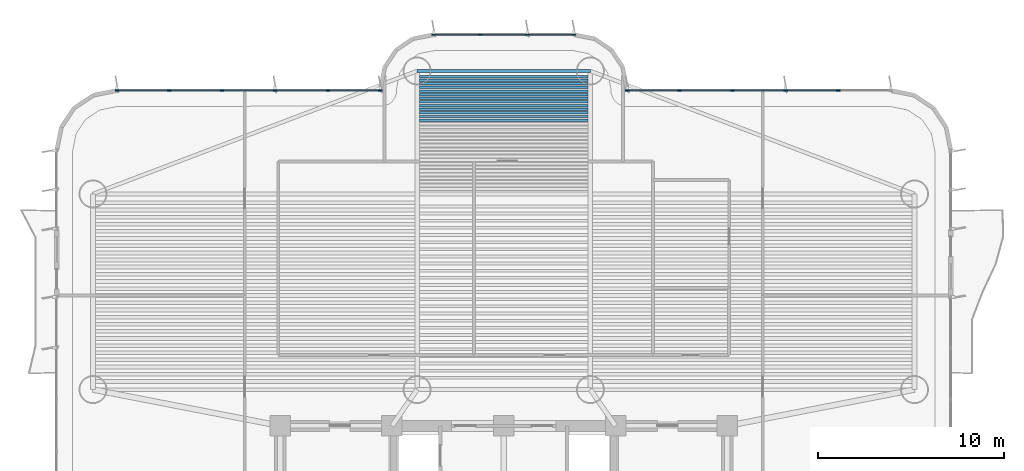
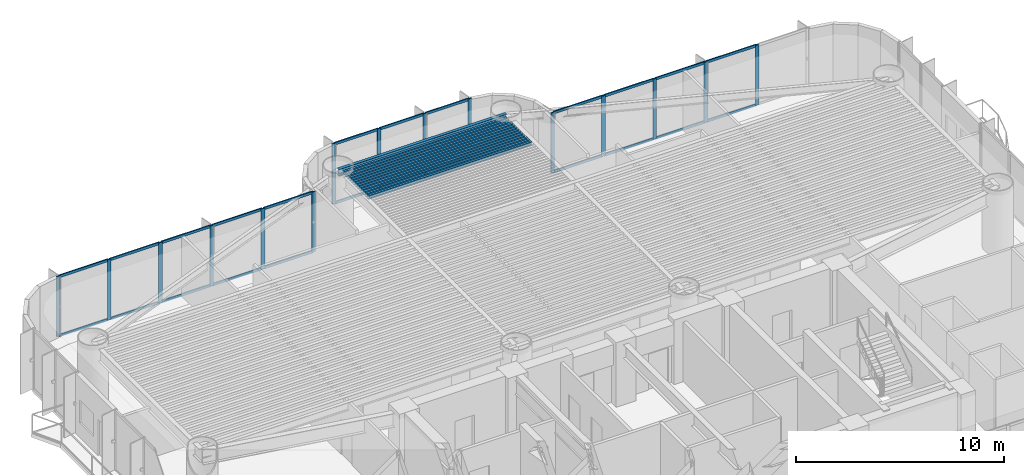
# One storey, part 7 of 17: 39 members, 14 beams, 3 elements without a shape of their own.
"""IFC4 building model written with IfcOpenShell, lengths in metres."""

from ifc_helpers import new_model, si_unit, direction, frame, origin, origin_2d, place, context, subcontext, project, spatial, rectangle, i_section, extrude, source, transform, mapped, material, layer, layer_set, material_profile, profile_set, type_object, element, aggregate, save


model = new_model("IFC4")

# Units and contexts
model_context = context("Model", 3, precision=1e-05, world=origin(), true_north=direction((0.0, 1.0)))
body_context = subcontext(model_context, "Body", "Model", "MODEL_VIEW")
ifc_project = project(units=[si_unit("LENGTHUNIT", "METRE"), si_unit("AREAUNIT", "SQUARE_METRE"), si_unit("VOLUMEUNIT", "CUBIC_METRE"), si_unit("PLANEANGLEUNIT", "RADIAN"), si_unit("MASSUNIT", "GRAM", prefix="KILO")], contexts=[model_context])

# Site, building, storey
site_placement = place(None, origin())
site = spatial("IfcSite", under=ifc_project, at=site_placement, CompositionType="ELEMENT")
building_placement = place(site_placement, origin())
building = spatial("IfcBuilding", under=site, at=building_placement, Name="Brelvock Crest Care Tower", CompositionType="ELEMENT")
storey_placement = place(building_placement, frame((0.0, 0.0, 53.4599609375)))
storey = spatial("IfcBuildingStorey", under=building, at=storey_placement, Name="L13", CompositionType="ELEMENT", Elevation=53.4599609375)

# Beams
ifc_material_1 = material(Name="Steel Grade 350", Category="steel")
ifc_material_profile_1 = material_profile(ifc_material_1, i_section(OverallWidth=0.177978515625, OverallDepth=0.406005859375, WebThickness=0.0078125, FlangeThickness=0.0126953125, FilletRadius=0.011474609375, at=origin_2d()), Name="410UB59.7")
ifc_profile_set_1 = profile_set([ifc_material_profile_1], Name="Steel Grade 350")
beam_type_1 = type_object("IfcBeamType", Name="BM-SP1", PredefinedType="SPANDREL", material=ifc_profile_set_1)
shared_shape_1 = source(origin(), body_context, "Body", "SweptSolid", [
    extrude(i_section(OverallWidth=0.177978515625, OverallDepth=0.406005859375, WebThickness=0.0078125, FlangeThickness=0.0126953125, FilletRadius=0.011474609375, at=origin_2d()), origin(), (0.0, 0.0, 1.0), 9.2998046875),
])
beam_placement = place(storey_placement, frame((31.35009765625, 37.050048828125, 3.3271484375), z_axis=(1.0, 0.0, 0.0), x_axis=(0.0, 1.0, 0.0)))
element("IfcBeam", 1, at=beam_placement, inside=storey, type_object=beam_type_1, Name="BM-TWR-L13-08", PredefinedType="SPANDREL", context=body_context, shape_type="MappedRepresentation", body=[
    mapped(shared_shape_1, transform((0.0, 0.0, 0.0), x_axis=(1.0, 0.0, 0.0), y_axis=(0.0, 1.0, 0.0), z_axis=(0.0, 0.0, 1.0), scale=1.0)),
])
ifc_material_profile_2 = material_profile(ifc_material_1, i_section(OverallWidth=0.134033203125, OverallDepth=0.20703125, WebThickness=0.00634765625, FlangeThickness=0.009521484375, FilletRadius=0.0087890625, at=origin_2d()), Name="200UB29.8")
ifc_profile_set_2 = profile_set([ifc_material_profile_2], Name="Steel Grade 350")
beam_type_2 = type_object("IfcBeamType", Name="BM-J4", PredefinedType="JOIST", material=ifc_profile_set_2)
shared_shape_2 = source(origin(), body_context, "Body", "SweptSolid", [
    extrude(i_section(OverallWidth=0.134033203125, OverallDepth=0.20703125, WebThickness=0.00634765625, FlangeThickness=0.009521484375, FilletRadius=0.0087890625, at=origin_2d()), origin(), (0.0, 0.0, 1.0), 9.06982421875),
])
for number, where, z_axis, x_axis, name in (
    (2, (31.465087890625, 34.413330078125, 3.426513671875), (1.0, 0.0, 0.0), (0.0, 1.0, 0.0), "BM-JN-L13-20"),
    (3, (31.465087890625, 34.60791015625, 3.426513671875), (1.0, 0.0, 0.0), (0.0, 1.0, 0.0), "BM-JN-L13-21"),
    (4, (31.465087890625, 34.802734375, 3.426513671875), (1.0, 0.0, 0.0), (0.0, 1.0, 0.0), "BM-JN-L13-22"),
    (5, (31.465087890625, 34.997314453125, 3.426513671875), (1.0, 0.0, 0.0), (0.0, 1.0, 0.0), "BM-JN-L13-23"),
    (6, (31.465087890625, 35.192138671875, 3.426513671875), (1.0, 0.0, 0.0), (0.0, 1.0, 0.0), "BM-JN-L13-24"),
    (7, (31.465087890625, 35.38671875, 3.426513671875), (1.0, 0.0, 0.0), (0.0, 1.0, 0.0), "BM-JN-L13-25"),
    (8, (31.465087890625, 35.58154296875, 3.426513671875), (1.0, 0.0, 0.0), (0.0, 1.0, 0.0), "BM-JN-L13-26"),
    (9, (31.465087890625, 35.776123046875, 3.426513671875), (1.0, 0.0, 0.0), (0.0, 1.0, 0.0), "BM-JN-L13-27"),
    (10, (31.465087890625, 35.970947265625, 3.426513671875), (1.0, 0.0, 0.0), (0.0, 1.0, 0.0), "BM-JN-L13-28"),
    (11, (31.465087890625, 36.16552734375, 3.426513671875), (1.0, 0.0, 0.0), (0.0, 1.0, 0.0), "BM-JN-L13-29"),
    (12, (31.465087890625, 36.3603515625, 3.426513671875), (1.0, 0.0, 0.0), (0.0, 1.0, 0.0), "BM-JN-L13-30"),
    (13, (31.465087890625, 36.554931640625, 3.426513671875), (1.0, 0.0, 0.0), (0.0, 1.0, 0.0), "BM-JN-L13-31"),
    (14, (31.465087890625, 36.749755859375, 3.426513671875), (1.0, 0.0, 0.0), (0.0, 1.0, 0.0), "BM-JN-L13-32"),
):
    element("IfcBeam", number, at=place(storey_placement, frame(where, z_axis=z_axis, x_axis=x_axis)), inside=storey, type_object=beam_type_2, Name=name, PredefinedType="JOIST", context=body_context, shape_type="MappedRepresentation", body=[
        mapped(shared_shape_2, transform((0.0, 0.0, 0.0), x_axis=(1.0, 0.0, 0.0), y_axis=(0.0, 1.0, 0.0), z_axis=(0.0, 0.0, 1.0), scale=1.0)),
    ])

# Curtain wall, members
ifc_material_2 = material(Name="Dark Glass Double Glazed Low-E", Category="glass")
ifc_layer = layer(ifc_material_2, 0.195068359375, Name="CWS-2")
ifc_layer_set = layer_set([ifc_layer], Name="Dark Glass Double Glazed Low-E")
curtain_wall_type = type_object("IfcCurtainWallType", Name="CWS-2", PredefinedType="NOTDEFINED", material=ifc_layer_set)
curtain_wall_1_placement = place(storey_placement, origin())
curtain_wall_1 = element("IfcCurtainWall", 15, at=curtain_wall_1_placement, inside=storey, type_object=curtain_wall_type, Name="L13 Curtain Wall E18", PredefinedType="NOTDEFINED")
ifc_material_3 = material(Name="Aluminium 6063-T6", Category="aluminium")
ifc_material_profile_3 = material_profile(ifc_material_3, rectangle(XDim=0.06494140625, YDim=0.199951171875, at=origin_2d()), Name="ALU65x200")
ifc_profile_set_3 = profile_set([ifc_material_profile_3], Name="Aluminium 6063-T6")
member_type_1 = type_object("IfcMemberType", Name="CWM-1", PredefinedType="MULLION", material=ifc_profile_set_3)
shared_shape_3 = source(origin(), body_context, "Body", "SweptSolid", [
    extrude(rectangle(XDim=0.06494140625, YDim=0.199951171875, at=origin_2d()), origin(), (0.0, 0.0, 1.0), 3.530029296875),
])
member_1_placement = place(storey_placement, frame((15.232421875, 36.0, 0.0), z_axis=(0.0, 0.0, 1.0), x_axis=(0.0, 1.0, 0.0)))
member_1 = element("IfcMember", 16, at=member_1_placement, type_object=member_type_1, Name="CW-2 mullion 1", PredefinedType="MULLION", context=body_context, shape_type="MappedRepresentation", body=[
    mapped(shared_shape_3, transform((0.0, 0.0, 0.0), x_axis=(1.0, 0.0, 0.0), y_axis=(0.0, 1.0, 0.0), z_axis=(0.0, 0.0, 1.0), scale=1.0)),
])
member_2_placement = place(storey_placement, frame((18.0400390625, 36.0, 0.0), z_axis=(0.0, 0.0, 1.0), x_axis=(0.0, 1.0, 0.0)))
member_2 = element("IfcMember", 17, at=member_2_placement, type_object=member_type_1, Name="CW-2 mullion 2", PredefinedType="MULLION", context=body_context, shape_type="MappedRepresentation", body=[
    mapped(shared_shape_3, transform((0.0, 0.0, 0.0), x_axis=(1.0, 0.0, 0.0), y_axis=(0.0, 1.0, 0.0), z_axis=(0.0, 0.0, 1.0), scale=1.0)),
])
member_3_placement = place(storey_placement, frame((20.8798828125, 36.0, 0.0), z_axis=(0.0, 0.0, 1.0), x_axis=(0.0, 1.0, 0.0)))
member_3 = element("IfcMember", 18, at=member_3_placement, type_object=member_type_1, Name="CW-2 mullion 3", PredefinedType="MULLION", context=body_context, shape_type="MappedRepresentation", body=[
    mapped(shared_shape_3, transform((0.0, 0.0, 0.0), x_axis=(1.0, 0.0, 0.0), y_axis=(0.0, 1.0, 0.0), z_axis=(0.0, 0.0, 1.0), scale=1.0)),
])
member_4_placement = place(storey_placement, frame((23.719970703125, 36.0, 0.0), z_axis=(0.0, 0.0, 1.0), x_axis=(0.0, 1.0, 0.0)))
member_4 = element("IfcMember", 19, at=member_4_placement, type_object=member_type_1, Name="CW-2 mullion 4", PredefinedType="MULLION", context=body_context, shape_type="MappedRepresentation", body=[
    mapped(shared_shape_3, transform((0.0, 0.0, 0.0), x_axis=(1.0, 0.0, 0.0), y_axis=(0.0, 1.0, 0.0), z_axis=(0.0, 0.0, 1.0), scale=1.0)),
])
member_5_placement = place(storey_placement, frame((26.56005859375, 36.0, 0.0), z_axis=(0.0, 0.0, 1.0), x_axis=(0.0, 1.0, 0.0)))
member_5 = element("IfcMember", 20, at=member_5_placement, type_object=member_type_1, Name="CW-2 mullion 5", PredefinedType="MULLION", context=body_context, shape_type="MappedRepresentation", body=[
    mapped(shared_shape_3, transform((0.0, 0.0, 0.0), x_axis=(1.0, 0.0, 0.0), y_axis=(0.0, 1.0, 0.0), z_axis=(0.0, 0.0, 1.0), scale=1.0)),
])
member_6_placement = place(storey_placement, frame((29.367431640625, 36.0, 0.0), z_axis=(0.0, 0.0, 1.0), x_axis=(0.0, 1.0, 0.0)))
member_6 = element("IfcMember", 21, at=member_6_placement, type_object=member_type_1, Name="CW-2 mullion 6", PredefinedType="MULLION", context=body_context, shape_type="MappedRepresentation", body=[
    mapped(shared_shape_3, transform((0.0, 0.0, 0.0), x_axis=(1.0, 0.0, 0.0), y_axis=(0.0, 1.0, 0.0), z_axis=(0.0, 0.0, 1.0), scale=1.0)),
])

curtain_wall_2_placement = place(storey_placement, origin())
curtain_wall_2 = element("IfcCurtainWall", 22, at=curtain_wall_2_placement, inside=storey, type_object=curtain_wall_type, Name="L13 Curtain Wall E24", PredefinedType="NOTDEFINED")
member_7_placement = place(storey_placement, frame((32.232421875, 39.0, 0.0), z_axis=(0.0, 0.0, 1.0), x_axis=(0.0, 1.0, 0.0)))
member_7 = element("IfcMember", 23, at=member_7_placement, type_object=member_type_1, Name="CW-2 mullion 1", PredefinedType="MULLION", context=body_context, shape_type="MappedRepresentation", body=[
    mapped(shared_shape_3, transform((0.0, 0.0, 0.0), x_axis=(1.0, 0.0, 0.0), y_axis=(0.0, 1.0, 0.0), z_axis=(0.0, 0.0, 1.0), scale=1.0)),
])
member_8_placement = place(storey_placement, frame((34.7333984375, 39.0, 0.0), z_axis=(0.0, 0.0, 1.0), x_axis=(0.0, 1.0, 0.0)))
member_8 = element("IfcMember", 24, at=member_8_placement, type_object=member_type_1, Name="CW-2 mullion 2", PredefinedType="MULLION", context=body_context, shape_type="MappedRepresentation", body=[
    mapped(shared_shape_3, transform((0.0, 0.0, 0.0), x_axis=(1.0, 0.0, 0.0), y_axis=(0.0, 1.0, 0.0), z_axis=(0.0, 0.0, 1.0), scale=1.0)),
])
member_9_placement = place(storey_placement, frame((37.2666015625, 39.0, 0.0), z_axis=(0.0, 0.0, 1.0), x_axis=(0.0, 1.0, 0.0)))
member_9 = element("IfcMember", 25, at=member_9_placement, type_object=member_type_1, Name="CW-2 mullion 3", PredefinedType="MULLION", context=body_context, shape_type="MappedRepresentation", body=[
    mapped(shared_shape_3, transform((0.0, 0.0, 0.0), x_axis=(1.0, 0.0, 0.0), y_axis=(0.0, 1.0, 0.0), z_axis=(0.0, 0.0, 1.0), scale=1.0)),
])
member_10_placement = place(storey_placement, frame((39.767578125, 39.0, 0.0), z_axis=(0.0, 0.0, 1.0), x_axis=(0.0, 1.0, 0.0)))
member_10 = element("IfcMember", 26, at=member_10_placement, type_object=member_type_1, Name="CW-2 mullion 4", PredefinedType="MULLION", context=body_context, shape_type="MappedRepresentation", body=[
    mapped(shared_shape_3, transform((0.0, 0.0, 0.0), x_axis=(1.0, 0.0, 0.0), y_axis=(0.0, 1.0, 0.0), z_axis=(0.0, 0.0, 1.0), scale=1.0)),
])

curtain_wall_3_placement = place(storey_placement, origin())
curtain_wall_3 = element("IfcCurtainWall", 27, at=curtain_wall_3_placement, inside=storey, type_object=curtain_wall_type, Name="L13 Curtain Wall E30", PredefinedType="NOTDEFINED")
member_11_placement = place(storey_placement, frame((42.632568359375, 36.0, 0.0), z_axis=(0.0, 0.0, 1.0), x_axis=(0.0, 1.0, 0.0)))
member_11 = element("IfcMember", 28, at=member_11_placement, type_object=member_type_1, Name="CW-2 mullion 1", PredefinedType="MULLION", context=body_context, shape_type="MappedRepresentation", body=[
    mapped(shared_shape_3, transform((0.0, 0.0, 0.0), x_axis=(1.0, 0.0, 0.0), y_axis=(0.0, 1.0, 0.0), z_axis=(0.0, 0.0, 1.0), scale=1.0)),
])
member_12_placement = place(storey_placement, frame((45.43994140625, 36.0, 0.0), z_axis=(0.0, 0.0, 1.0), x_axis=(0.0, 1.0, 0.0)))
member_12 = element("IfcMember", 29, at=member_12_placement, type_object=member_type_1, Name="CW-2 mullion 2", PredefinedType="MULLION", context=body_context, shape_type="MappedRepresentation", body=[
    mapped(shared_shape_3, transform((0.0, 0.0, 0.0), x_axis=(1.0, 0.0, 0.0), y_axis=(0.0, 1.0, 0.0), z_axis=(0.0, 0.0, 1.0), scale=1.0)),
])
member_13_placement = place(storey_placement, frame((48.280029296875, 36.0, 0.0), z_axis=(0.0, 0.0, 1.0), x_axis=(0.0, 1.0, 0.0)))
member_13 = element("IfcMember", 30, at=member_13_placement, type_object=member_type_1, Name="CW-2 mullion 3", PredefinedType="MULLION", context=body_context, shape_type="MappedRepresentation", body=[
    mapped(shared_shape_3, transform((0.0, 0.0, 0.0), x_axis=(1.0, 0.0, 0.0), y_axis=(0.0, 1.0, 0.0), z_axis=(0.0, 0.0, 1.0), scale=1.0)),
])
member_14_placement = place(storey_placement, frame((51.1201171875, 36.0, 0.0), z_axis=(0.0, 0.0, 1.0), x_axis=(0.0, 1.0, 0.0)))
member_14 = element("IfcMember", 31, at=member_14_placement, type_object=member_type_1, Name="CW-2 mullion 4", PredefinedType="MULLION", context=body_context, shape_type="MappedRepresentation", body=[
    mapped(shared_shape_3, transform((0.0, 0.0, 0.0), x_axis=(1.0, 0.0, 0.0), y_axis=(0.0, 1.0, 0.0), z_axis=(0.0, 0.0, 1.0), scale=1.0)),
])
member_15_placement = place(storey_placement, frame((53.9599609375, 36.0, 0.0), z_axis=(0.0, 0.0, 1.0), x_axis=(0.0, 1.0, 0.0)))
member_15 = element("IfcMember", 32, at=member_15_placement, type_object=member_type_1, Name="CW-2 mullion 5", PredefinedType="MULLION", context=body_context, shape_type="MappedRepresentation", body=[
    mapped(shared_shape_3, transform((0.0, 0.0, 0.0), x_axis=(1.0, 0.0, 0.0), y_axis=(0.0, 1.0, 0.0), z_axis=(0.0, 0.0, 1.0), scale=1.0)),
])

# Member
ifc_material_profile_4 = material_profile(ifc_material_3, rectangle(XDim=0.06494140625, YDim=0.14990234375, at=origin_2d()), Name="ALU65x150")
ifc_profile_set_4 = profile_set([ifc_material_profile_4], Name="Aluminium 6063-T6")
member_type_2 = type_object("IfcMemberType", Name="CWT-1", PredefinedType="USERDEFINED", material=ifc_profile_set_4)
shared_shape_4 = source(origin(), body_context, "Body", "SweptSolid", [
    extrude(rectangle(XDim=0.06494140625, YDim=0.14990234375, at=origin_2d()), origin(), (0.0, 0.0, 1.0), 2.74267578125),
])
member_16_placement = place(storey_placement, frame((15.264892578125, 36.0, 0.032470703125), z_axis=(1.0, 0.0, 0.0), x_axis=(0.0, 1.0, 0.0)))
member_16 = element("IfcMember", 33, at=member_16_placement, type_object=member_type_2, Name="CW-2 transom 1.1", ObjectType="TRANSOM", PredefinedType="USERDEFINED", context=body_context, shape_type="MappedRepresentation", body=[
    mapped(shared_shape_4, transform((0.0, 0.0, 0.0), x_axis=(1.0, 0.0, 0.0), y_axis=(0.0, 1.0, 0.0), z_axis=(0.0, 0.0, 1.0), scale=1.0)),
])

member_17_placement = place(storey_placement, frame((15.264892578125, 36.0, 3.49755859375), z_axis=(1.0, 0.0, 0.0), x_axis=(0.0, 1.0, 0.0)))
member_17 = element("IfcMember", 34, at=member_17_placement, type_object=member_type_2, Name="CW-2 transom 1.2", ObjectType="TRANSOM", PredefinedType="USERDEFINED", context=body_context, shape_type="MappedRepresentation", body=[
    mapped(shared_shape_4, transform((0.0, 0.0, 0.0), x_axis=(1.0, 0.0, 0.0), y_axis=(0.0, 1.0, 0.0), z_axis=(0.0, 0.0, 1.0), scale=1.0)),
])

shared_shape_5 = source(origin(), body_context, "Body", "SweptSolid", [
    extrude(rectangle(XDim=0.06494140625, YDim=0.14990234375, at=origin_2d()), origin(), (0.0, 0.0, 1.0), 2.77490234375),
])
member_18_placement = place(storey_placement, frame((18.072509765625, 36.0, 0.032470703125), z_axis=(1.0, 0.0, 0.0), x_axis=(0.0, 1.0, 0.0)))
member_18 = element("IfcMember", 35, at=member_18_placement, type_object=member_type_2, Name="CW-2 transom 2.1", ObjectType="TRANSOM", PredefinedType="USERDEFINED", context=body_context, shape_type="MappedRepresentation", body=[
    mapped(shared_shape_5, transform((0.0, 0.0, 0.0), x_axis=(1.0, 0.0, 0.0), y_axis=(0.0, 1.0, 0.0), z_axis=(0.0, 0.0, 1.0), scale=1.0)),
])

member_19_placement = place(storey_placement, frame((18.072509765625, 36.0, 3.49755859375), z_axis=(1.0, 0.0, 0.0), x_axis=(0.0, 1.0, 0.0)))
member_19 = element("IfcMember", 36, at=member_19_placement, type_object=member_type_2, Name="CW-2 transom 2.2", ObjectType="TRANSOM", PredefinedType="USERDEFINED", context=body_context, shape_type="MappedRepresentation", body=[
    mapped(shared_shape_5, transform((0.0, 0.0, 0.0), x_axis=(1.0, 0.0, 0.0), y_axis=(0.0, 1.0, 0.0), z_axis=(0.0, 0.0, 1.0), scale=1.0)),
])

member_20_placement = place(storey_placement, frame((20.91259765625, 36.0, 0.032470703125), z_axis=(1.0, 0.0, 0.0), x_axis=(0.0, 1.0, 0.0)))
member_20 = element("IfcMember", 37, at=member_20_placement, type_object=member_type_2, Name="CW-2 transom 3.1", ObjectType="TRANSOM", PredefinedType="USERDEFINED", context=body_context, shape_type="MappedRepresentation", body=[
    mapped(shared_shape_5, transform((0.0, 0.0, 0.0), x_axis=(1.0, 0.0, 0.0), y_axis=(0.0, 1.0, 0.0), z_axis=(0.0, 0.0, 1.0), scale=1.0)),
])

member_21_placement = place(storey_placement, frame((20.91259765625, 36.0, 3.49755859375), z_axis=(1.0, 0.0, 0.0), x_axis=(0.0, 1.0, 0.0)))
member_21 = element("IfcMember", 38, at=member_21_placement, type_object=member_type_2, Name="CW-2 transom 3.2", ObjectType="TRANSOM", PredefinedType="USERDEFINED", context=body_context, shape_type="MappedRepresentation", body=[
    mapped(shared_shape_5, transform((0.0, 0.0, 0.0), x_axis=(1.0, 0.0, 0.0), y_axis=(0.0, 1.0, 0.0), z_axis=(0.0, 0.0, 1.0), scale=1.0)),
])

member_22_placement = place(storey_placement, frame((48.3125, 36.0, 0.032470703125), z_axis=(1.0, 0.0, 0.0), x_axis=(0.0, 1.0, 0.0)))
member_22 = element("IfcMember", 39, at=member_22_placement, type_object=member_type_2, Name="CW-2 transom 3.1", ObjectType="TRANSOM", PredefinedType="USERDEFINED", context=body_context, shape_type="MappedRepresentation", body=[
    mapped(shared_shape_5, transform((0.0, 0.0, 0.0), x_axis=(1.0, 0.0, 0.0), y_axis=(0.0, 1.0, 0.0), z_axis=(0.0, 0.0, 1.0), scale=1.0)),
])

member_23_placement = place(storey_placement, frame((48.3125, 36.0, 3.49755859375), z_axis=(1.0, 0.0, 0.0), x_axis=(0.0, 1.0, 0.0)))
member_23 = element("IfcMember", 40, at=member_23_placement, type_object=member_type_2, Name="CW-2 transom 3.2", ObjectType="TRANSOM", PredefinedType="USERDEFINED", context=body_context, shape_type="MappedRepresentation", body=[
    mapped(shared_shape_5, transform((0.0, 0.0, 0.0), x_axis=(1.0, 0.0, 0.0), y_axis=(0.0, 1.0, 0.0), z_axis=(0.0, 0.0, 1.0), scale=1.0)),
])

member_24_placement = place(storey_placement, frame((51.152587890625, 36.0, 0.032470703125), z_axis=(1.0, 0.0, 0.0), x_axis=(0.0, 1.0, 0.0)))
member_24 = element("IfcMember", 41, at=member_24_placement, type_object=member_type_2, Name="CW-2 transom 4.1", ObjectType="TRANSOM", PredefinedType="USERDEFINED", context=body_context, shape_type="MappedRepresentation", body=[
    mapped(shared_shape_5, transform((0.0, 0.0, 0.0), x_axis=(1.0, 0.0, 0.0), y_axis=(0.0, 1.0, 0.0), z_axis=(0.0, 0.0, 1.0), scale=1.0)),
])

member_25_placement = place(storey_placement, frame((51.152587890625, 36.0, 3.49755859375), z_axis=(1.0, 0.0, 0.0), x_axis=(0.0, 1.0, 0.0)))
member_25 = element("IfcMember", 42, at=member_25_placement, type_object=member_type_2, Name="CW-2 transom 4.2", ObjectType="TRANSOM", PredefinedType="USERDEFINED", context=body_context, shape_type="MappedRepresentation", body=[
    mapped(shared_shape_5, transform((0.0, 0.0, 0.0), x_axis=(1.0, 0.0, 0.0), y_axis=(0.0, 1.0, 0.0), z_axis=(0.0, 0.0, 1.0), scale=1.0)),
])

shared_shape_6 = source(origin(), body_context, "Body", "SweptSolid", [
    extrude(rectangle(XDim=0.06494140625, YDim=0.14990234375, at=origin_2d()), origin(), (0.0, 0.0, 1.0), 2.775146484375),
])
member_26_placement = place(storey_placement, frame((23.75244140625, 36.0, 0.032470703125), z_axis=(1.0, 0.0, 0.0), x_axis=(0.0, 1.0, 0.0)))
member_26 = element("IfcMember", 43, at=member_26_placement, type_object=member_type_2, Name="CW-2 transom 4.1", ObjectType="TRANSOM", PredefinedType="USERDEFINED", context=body_context, shape_type="MappedRepresentation", body=[
    mapped(shared_shape_6, transform((0.0, 0.0, 0.0), x_axis=(1.0, 0.0, 0.0), y_axis=(0.0, 1.0, 0.0), z_axis=(0.0, 0.0, 1.0), scale=1.0)),
])

member_27_placement = place(storey_placement, frame((23.75244140625, 36.0, 3.49755859375), z_axis=(1.0, 0.0, 0.0), x_axis=(0.0, 1.0, 0.0)))
member_27 = element("IfcMember", 44, at=member_27_placement, type_object=member_type_2, Name="CW-2 transom 4.2", ObjectType="TRANSOM", PredefinedType="USERDEFINED", context=body_context, shape_type="MappedRepresentation", body=[
    mapped(shared_shape_6, transform((0.0, 0.0, 0.0), x_axis=(1.0, 0.0, 0.0), y_axis=(0.0, 1.0, 0.0), z_axis=(0.0, 0.0, 1.0), scale=1.0)),
])

member_28_placement = place(storey_placement, frame((45.472412109375, 36.0, 0.032470703125), z_axis=(1.0, 0.0, 0.0), x_axis=(0.0, 1.0, 0.0)))
member_28 = element("IfcMember", 45, at=member_28_placement, type_object=member_type_2, Name="CW-2 transom 2.1", ObjectType="TRANSOM", PredefinedType="USERDEFINED", context=body_context, shape_type="MappedRepresentation", body=[
    mapped(shared_shape_6, transform((0.0, 0.0, 0.0), x_axis=(1.0, 0.0, 0.0), y_axis=(0.0, 1.0, 0.0), z_axis=(0.0, 0.0, 1.0), scale=1.0)),
])

member_29_placement = place(storey_placement, frame((45.472412109375, 36.0, 3.49755859375), z_axis=(1.0, 0.0, 0.0), x_axis=(0.0, 1.0, 0.0)))
member_29 = element("IfcMember", 46, at=member_29_placement, type_object=member_type_2, Name="CW-2 transom 2.2", ObjectType="TRANSOM", PredefinedType="USERDEFINED", context=body_context, shape_type="MappedRepresentation", body=[
    mapped(shared_shape_6, transform((0.0, 0.0, 0.0), x_axis=(1.0, 0.0, 0.0), y_axis=(0.0, 1.0, 0.0), z_axis=(0.0, 0.0, 1.0), scale=1.0)),
])

shared_shape_7 = source(origin(), body_context, "Body", "SweptSolid", [
    extrude(rectangle(XDim=0.06494140625, YDim=0.14990234375, at=origin_2d()), origin(), (0.0, 0.0, 1.0), 2.742431640625),
])
member_30_placement = place(storey_placement, frame((26.592529296875, 36.0, 0.032470703125), z_axis=(1.0, 0.0, 0.0), x_axis=(0.0, 1.0, 0.0)))
member_30 = element("IfcMember", 47, at=member_30_placement, type_object=member_type_2, Name="CW-2 transom 5.1", ObjectType="TRANSOM", PredefinedType="USERDEFINED", context=body_context, shape_type="MappedRepresentation", body=[
    mapped(shared_shape_7, transform((0.0, 0.0, 0.0), x_axis=(1.0, 0.0, 0.0), y_axis=(0.0, 1.0, 0.0), z_axis=(0.0, 0.0, 1.0), scale=1.0)),
])

member_31_placement = place(storey_placement, frame((26.592529296875, 36.0, 3.49755859375), z_axis=(1.0, 0.0, 0.0), x_axis=(0.0, 1.0, 0.0)))
member_31 = element("IfcMember", 48, at=member_31_placement, type_object=member_type_2, Name="CW-2 transom 5.2", ObjectType="TRANSOM", PredefinedType="USERDEFINED", context=body_context, shape_type="MappedRepresentation", body=[
    mapped(shared_shape_7, transform((0.0, 0.0, 0.0), x_axis=(1.0, 0.0, 0.0), y_axis=(0.0, 1.0, 0.0), z_axis=(0.0, 0.0, 1.0), scale=1.0)),
])

aggregate(curtain_wall_1, [member_1, member_2, member_3, member_4, member_5, member_6, member_16, member_17, member_18, member_19, member_20, member_21, member_26, member_27, member_30, member_31])

member_32_placement = place(storey_placement, frame((42.6650390625, 36.0, 0.032470703125), z_axis=(1.0, 0.0, 0.0), x_axis=(0.0, 1.0, 0.0)))
member_32 = element("IfcMember", 49, at=member_32_placement, type_object=member_type_2, Name="CW-2 transom 1.1", ObjectType="TRANSOM", PredefinedType="USERDEFINED", context=body_context, shape_type="MappedRepresentation", body=[
    mapped(shared_shape_7, transform((0.0, 0.0, 0.0), x_axis=(1.0, 0.0, 0.0), y_axis=(0.0, 1.0, 0.0), z_axis=(0.0, 0.0, 1.0), scale=1.0)),
])

member_33_placement = place(storey_placement, frame((42.6650390625, 36.0, 3.49755859375), z_axis=(1.0, 0.0, 0.0), x_axis=(0.0, 1.0, 0.0)))
member_33 = element("IfcMember", 50, at=member_33_placement, type_object=member_type_2, Name="CW-2 transom 1.2", ObjectType="TRANSOM", PredefinedType="USERDEFINED", context=body_context, shape_type="MappedRepresentation", body=[
    mapped(shared_shape_7, transform((0.0, 0.0, 0.0), x_axis=(1.0, 0.0, 0.0), y_axis=(0.0, 1.0, 0.0), z_axis=(0.0, 0.0, 1.0), scale=1.0)),
])

aggregate(curtain_wall_3, [member_11, member_12, member_13, member_14, member_15, member_32, member_33, member_28, member_29, member_22, member_23, member_24, member_25])

shared_shape_8 = source(origin(), body_context, "Body", "SweptSolid", [
    extrude(rectangle(XDim=0.06494140625, YDim=0.14990234375, at=origin_2d()), origin(), (0.0, 0.0, 1.0), 2.43603515625),
])
member_34_placement = place(storey_placement, frame((32.264892578125, 39.0, 0.032470703125), z_axis=(1.0, 0.0, 0.0), x_axis=(0.0, 1.0, 0.0)))
member_34 = element("IfcMember", 51, at=member_34_placement, type_object=member_type_2, Name="CW-2 transom 1.1", ObjectType="TRANSOM", PredefinedType="USERDEFINED", context=body_context, shape_type="MappedRepresentation", body=[
    mapped(shared_shape_8, transform((0.0, 0.0, 0.0), x_axis=(1.0, 0.0, 0.0), y_axis=(0.0, 1.0, 0.0), z_axis=(0.0, 0.0, 1.0), scale=1.0)),
])

member_35_placement = place(storey_placement, frame((32.264892578125, 39.0, 3.49755859375), z_axis=(1.0, 0.0, 0.0), x_axis=(0.0, 1.0, 0.0)))
member_35 = element("IfcMember", 52, at=member_35_placement, type_object=member_type_2, Name="CW-2 transom 1.2", ObjectType="TRANSOM", PredefinedType="USERDEFINED", context=body_context, shape_type="MappedRepresentation", body=[
    mapped(shared_shape_8, transform((0.0, 0.0, 0.0), x_axis=(1.0, 0.0, 0.0), y_axis=(0.0, 1.0, 0.0), z_axis=(0.0, 0.0, 1.0), scale=1.0)),
])

member_36_placement = place(storey_placement, frame((37.299072265625, 39.0, 0.032470703125), z_axis=(1.0, 0.0, 0.0), x_axis=(0.0, 1.0, 0.0)))
member_36 = element("IfcMember", 53, at=member_36_placement, type_object=member_type_2, Name="CW-2 transom 3.1", ObjectType="TRANSOM", PredefinedType="USERDEFINED", context=body_context, shape_type="MappedRepresentation", body=[
    mapped(shared_shape_8, transform((0.0, 0.0, 0.0), x_axis=(1.0, 0.0, 0.0), y_axis=(0.0, 1.0, 0.0), z_axis=(0.0, 0.0, 1.0), scale=1.0)),
])

member_37_placement = place(storey_placement, frame((37.299072265625, 39.0, 3.49755859375), z_axis=(1.0, 0.0, 0.0), x_axis=(0.0, 1.0, 0.0)))
member_37 = element("IfcMember", 54, at=member_37_placement, type_object=member_type_2, Name="CW-2 transom 3.2", ObjectType="TRANSOM", PredefinedType="USERDEFINED", context=body_context, shape_type="MappedRepresentation", body=[
    mapped(shared_shape_8, transform((0.0, 0.0, 0.0), x_axis=(1.0, 0.0, 0.0), y_axis=(0.0, 1.0, 0.0), z_axis=(0.0, 0.0, 1.0), scale=1.0)),
])

shared_shape_9 = source(origin(), body_context, "Body", "SweptSolid", [
    extrude(rectangle(XDim=0.06494140625, YDim=0.14990234375, at=origin_2d()), origin(), (0.0, 0.0, 1.0), 2.46826171875),
])
member_38_placement = place(storey_placement, frame((34.765869140625, 39.0, 0.032470703125), z_axis=(1.0, 0.0, 0.0), x_axis=(0.0, 1.0, 0.0)))
member_38 = element("IfcMember", 55, at=member_38_placement, type_object=member_type_2, Name="CW-2 transom 2.1", ObjectType="TRANSOM", PredefinedType="USERDEFINED", context=body_context, shape_type="MappedRepresentation", body=[
    mapped(shared_shape_9, transform((0.0, 0.0, 0.0), x_axis=(1.0, 0.0, 0.0), y_axis=(0.0, 1.0, 0.0), z_axis=(0.0, 0.0, 1.0), scale=1.0)),
])

member_39_placement = place(storey_placement, frame((34.765869140625, 39.0, 3.49755859375), z_axis=(1.0, 0.0, 0.0), x_axis=(0.0, 1.0, 0.0)))
member_39 = element("IfcMember", 56, at=member_39_placement, type_object=member_type_2, Name="CW-2 transom 2.2", ObjectType="TRANSOM", PredefinedType="USERDEFINED", context=body_context, shape_type="MappedRepresentation", body=[
    mapped(shared_shape_9, transform((0.0, 0.0, 0.0), x_axis=(1.0, 0.0, 0.0), y_axis=(0.0, 1.0, 0.0), z_axis=(0.0, 0.0, 1.0), scale=1.0)),
])

aggregate(curtain_wall_2, [member_7, member_8, member_9, member_10, member_34, member_35, member_38, member_39, member_36, member_37])

save(model, "model.ifc")
